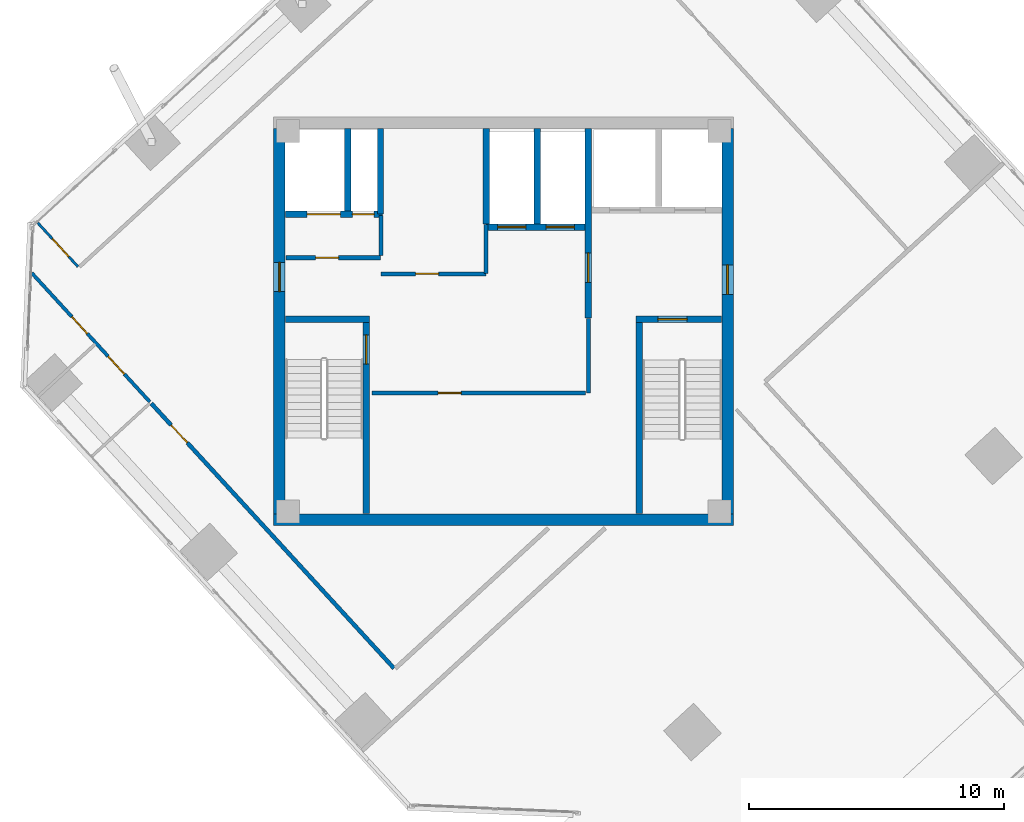
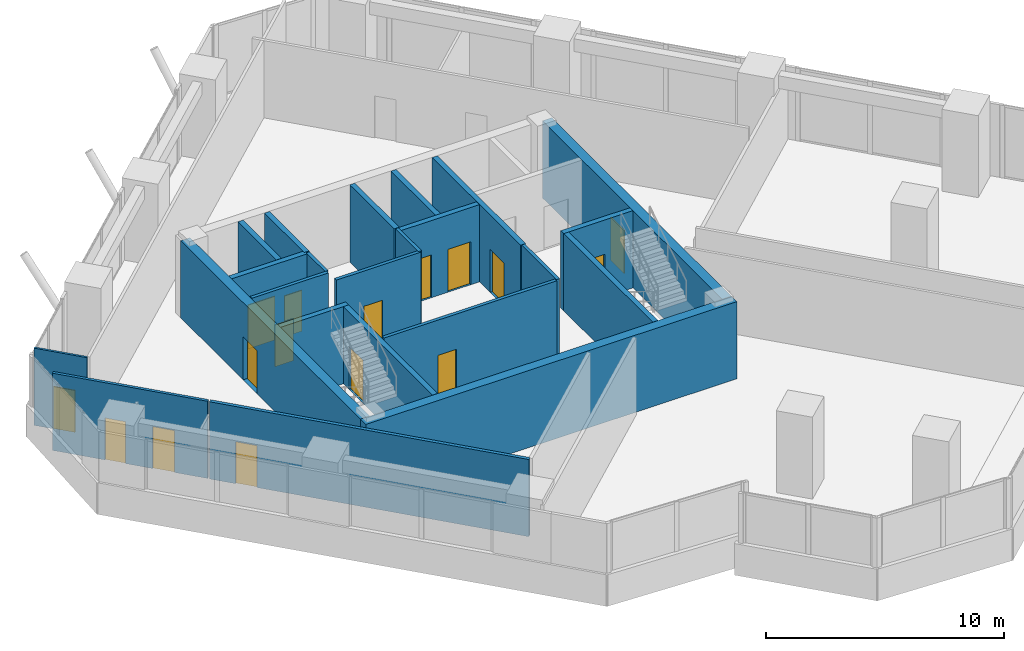
# One storey, part 12 of 16: 23 walls, 16 doors, 16 openings.
"""IFC4 building model written with IfcOpenShell, lengths in metres."""

from ifc_helpers import new_model, si_unit, direction, frame, frame_2d, origin, place, context, subcontext, project, spatial, rectangle, extrude, source, transform, mapped, material, layer, layer_set, type_object, element, fill, save


model = new_model("IFC4")

# Units and contexts
model_context = context("Model", 3, precision=1e-05, world=origin(), true_north=direction((0.0, 1.0)))
body_context = subcontext(model_context, "Body", "Model", "MODEL_VIEW")
ifc_project = project(units=[si_unit("LENGTHUNIT", "METRE"), si_unit("AREAUNIT", "SQUARE_METRE"), si_unit("VOLUMEUNIT", "CUBIC_METRE"), si_unit("PLANEANGLEUNIT", "RADIAN"), si_unit("MASSUNIT", "GRAM", prefix="KILO")], contexts=[model_context])

# Site, building, storey
site_placement = place(None, origin())
site = spatial("IfcSite", under=ifc_project, at=site_placement, CompositionType="ELEMENT")
building_placement = place(site_placement, origin())
building = spatial("IfcBuilding", under=site, at=building_placement, Name="Torre Montelarca", CompositionType="ELEMENT")
storey_placement = place(building_placement, frame((0.0, 0.0, 262.60009765625)))
storey = spatial("IfcBuildingStorey", under=building, at=storey_placement, Name="L59", CompositionType="ELEMENT", Elevation=262.60009765625)

# Wall, opening, door
ifc_material_1 = material(Name="Concrete C40/50", Category="concrete")
ifc_layer_1 = layer(ifc_material_1, 0.25, Name="Concrete C40/50", Category="concrete")
ifc_layer_set_1 = layer_set([ifc_layer_1], Name="Concrete C40/50")
wall_type_1 = type_object("IfcWallType", Name="CW-SHAFT-250", PredefinedType="SHEAR", material=ifc_layer_set_1)
wall_1_placement = place(storey_placement, frame((12.625, 24.4599609375, 0.0), z_axis=(0.0, 0.0, 1.0), x_axis=(0.0, 1.0, 0.0)))
wall_1 = element("IfcWall", 1, at=wall_1_placement, inside=storey, type_object=wall_type_1, Name="L59 Core Shear Wall SH-ST1-E", PredefinedType="SHEAR", context=body_context, shape_type="SweptSolid", body=[
    extrude(rectangle(XDim=7.489990234375, YDim=0.25, at=frame_2d((3.7451171875, 0.0))), origin(), (0.0, 0.0, 1.0), 3.9599609375),
])
opening_1_placement = place(wall_1_placement, frame((5.85009765625, 0.0, 0.0)))
opening_1 = element("IfcOpeningElement", 2, at=opening_1_placement, cuts=wall_1, Name="Opening FD-ST1", PredefinedType="OPENING", context=body_context, shape_type="SweptSolid", body=[
    extrude(rectangle(XDim=1.14990234375, YDim=2.199951171875, at=frame_2d((0.574951171875, 1.10009765625))), frame((0.0, 0.135009765625, 0.0), z_axis=(0.0, -1.0, 0.0), x_axis=(1.0, 0.0, 0.0)), (0.0, 0.0, 1.0), 0.27001953125),
])
ifc_material_2 = material(Name="Galvanized steel fire door", Category="steel")
door_type_1 = type_object("IfcDoorType", Name="DR-STAIR-115", OperationType="NOTDEFINED", PredefinedType="DOOR", material=ifc_material_2)
shared_shape_1 = source(origin(), body_context, "Body", "SweptSolid", [
    extrude(rectangle(XDim=1.14990234375, YDim=2.199951171875, at=frame_2d((0.574951171875, 1.10009765625))), frame((0.0, 0.02490234375, 0.0), z_axis=(0.0, -1.0, 0.0), x_axis=(1.0, 0.0, 0.0)), (0.0, 0.0, 1.0), 0.050048828125),
])
door_1_placement = place(opening_1_placement, origin())
door_1 = element("IfcDoor", 3, at=door_1_placement, inside=storey, type_object=door_type_1, Name="L59 Exit Stair ST1 Fire Door", OperationType="SINGLE_SWING_RIGHT", OverallHeight=2.199951171875, OverallWidth=1.14990234375, PredefinedType="DOOR", context=body_context, shape_type="MappedRepresentation", body=[
    mapped(shared_shape_1, transform((0.0, 0.0, 0.0), scale=1.0)),
])
fill(opening_1, door_1)

# Walls
wall_2_placement = place(storey_placement, frame((9.4599609375, 32.074951171875, 0.0), z_axis=(0.0, 0.0, 1.0), x_axis=(1.0, 0.0, 0.0)))
element("IfcWall", 4, at=wall_2_placement, inside=storey, type_object=wall_type_1, Name="L59 Core Shear Wall SH-ST1-N", PredefinedType="SHEAR", context=body_context, shape_type="SweptSolid", body=[
    extrude(rectangle(XDim=3.2900390625, YDim=0.25, at=frame_2d((1.64501953125, 0.0))), origin(), (0.0, 0.0, 1.0), 3.9599609375),
])
wall_3_placement = place(storey_placement, frame((23.31494140625, 24.4599609375, 0.0), z_axis=(0.0, 0.0, 1.0), x_axis=(0.0, 1.0, 0.0)))
element("IfcWall", 5, at=wall_3_placement, inside=storey, type_object=wall_type_1, Name="L59 Core Shear Wall SH-ST2-W", PredefinedType="SHEAR", context=body_context, shape_type="SweptSolid", body=[
    extrude(rectangle(XDim=7.489990234375, YDim=0.25, at=frame_2d((3.7451171875, 0.0))), origin(), (0.0, 0.0, 1.0), 3.9599609375),
])

# Wall, opening, door
wall_4_placement = place(storey_placement, frame((23.18994140625, 32.074951171875, 0.0), z_axis=(0.0, 0.0, 1.0), x_axis=(1.0, 0.0, 0.0)))
wall_4 = element("IfcWall", 6, at=wall_4_placement, inside=storey, type_object=wall_type_1, Name="L59 Core Shear Wall SH-ST2-N", PredefinedType="SHEAR", context=body_context, shape_type="SweptSolid", body=[
    extrude(rectangle(XDim=3.35009765625, YDim=0.25, at=frame_2d((1.675048828125, 0.0))), origin(), (0.0, 0.0, 1.0), 3.9599609375),
])
opening_2_placement = place(wall_4_placement, frame((0.85009765625, 0.0, 0.0)))
opening_2 = element("IfcOpeningElement", 7, at=opening_2_placement, cuts=wall_4, Name="Opening FD-ST1", PredefinedType="OPENING", context=body_context, shape_type="SweptSolid", body=[
    extrude(rectangle(XDim=1.14990234375, YDim=2.199951171875, at=frame_2d((0.574951171875, 1.10009765625))), frame((0.0, 0.135009765625, 0.0), z_axis=(0.0, -1.0, 0.0), x_axis=(1.0, 0.0, 0.0)), (0.0, 0.0, 1.0), 0.27001953125),
])
door_2_placement = place(opening_2_placement, origin())
door_2 = element("IfcDoor", 8, at=door_2_placement, inside=storey, type_object=door_type_1, Name="L59 Exit Stair ST2 Fire Door", OperationType="SINGLE_SWING_RIGHT", OverallHeight=2.199951171875, OverallWidth=1.14990234375, PredefinedType="DOOR", context=body_context, shape_type="MappedRepresentation", body=[
    mapped(shared_shape_1, transform((0.0, 0.0, 0.0), scale=1.0)),
])
fill(opening_2, door_2)

wall_5_placement = place(storey_placement, frame((21.320068359375, 32.1201171875, 0.0), z_axis=(0.0, 0.0, 1.0), x_axis=(0.0, 1.0, 0.0)))
wall_5 = element("IfcWall", 9, at=wall_5_placement, inside=storey, type_object=wall_type_1, Name="L59 Core Shear Wall SH-FFL-W", PredefinedType="SHEAR", context=body_context, shape_type="SweptSolid", body=[
    extrude(rectangle(XDim=7.419921875, YDim=0.25, at=frame_2d((3.7099609375, 0.0))), origin(), (0.0, 0.0, 1.0), 3.9599609375),
])
opening_3_placement = place(wall_5_placement, frame((1.39990234375, 0.0, 0.0)))
opening_3 = element("IfcOpeningElement", 10, at=opening_3_placement, cuts=wall_5, Name="Opening FD-LB1", PredefinedType="OPENING", context=body_context, shape_type="SweptSolid", body=[
    extrude(rectangle(XDim=1.14990234375, YDim=2.199951171875, at=frame_2d((0.574951171875, 1.10009765625))), frame((0.0, 0.135009765625, 0.0), z_axis=(0.0, -1.0, 0.0), x_axis=(1.0, 0.0, 0.0)), (0.0, 0.0, 1.0), 0.27001953125),
])
ifc_material_3 = material(Name="Acoustic timber-veneered fire door", Category="wood")
door_type_2 = type_object("IfcDoorType", Name="DR-LOBBY-115", OperationType="NOTDEFINED", PredefinedType="DOOR", material=ifc_material_3)
shared_shape_2 = source(origin(), body_context, "Body", "SweptSolid", [
    extrude(rectangle(XDim=1.14990234375, YDim=2.199951171875, at=frame_2d((0.574951171875, 1.10009765625))), frame((0.0, 0.02490234375, 0.0), z_axis=(0.0, -1.0, 0.0), x_axis=(1.0, 0.0, 0.0)), (0.0, 0.0, 1.0), 0.050048828125),
])
door_3_placement = place(opening_3_placement, origin())
door_3 = element("IfcDoor", 11, at=door_3_placement, inside=storey, type_object=door_type_2, Name="L59 Lift Lobby to Firefighting Lobby Smoke Door", OperationType="SINGLE_SWING_LEFT", OverallHeight=2.199951171875, OverallWidth=1.14990234375, PredefinedType="DOOR", context=body_context, shape_type="MappedRepresentation", body=[
    mapped(shared_shape_2, transform((0.0, 0.0, 0.0), scale=1.0)),
])
fill(opening_3, door_3)

# Wall, openings, doors
wall_6_placement = place(storey_placement, frame((9.4599609375, 36.179931640625, 0.0), z_axis=(0.0, 0.0, 1.0), x_axis=(1.0, 0.0, 0.0)))
wall_6 = element("IfcWall", 12, at=wall_6_placement, inside=storey, type_object=wall_type_1, Name="L59 Core Shear Wall SH-SV1-S", PredefinedType="SHEAR", context=body_context, shape_type="SweptSolid", body=[
    extrude(rectangle(XDim=3.7900390625, YDim=0.25, at=frame_2d((1.89501953125, 0.0))), origin(), (0.0, 0.0, 1.0), 3.9599609375),
])
opening_4_placement = place(wall_6_placement, frame((2.6201171875, 0.0, 0.0)))
opening_4 = element("IfcOpeningElement", 13, at=opening_4_placement, cuts=wall_6, Name="Opening FD-085", PredefinedType="OPENING", context=body_context, shape_type="SweptSolid", body=[
    extrude(rectangle(XDim=0.85009765625, YDim=2.10009765625, at=frame_2d((0.425048828125, 1.050048828125))), frame((0.0, 0.135009765625, 0.0), z_axis=(0.0, -1.0, 0.0), x_axis=(1.0, 0.0, 0.0)), (0.0, 0.0, 1.0), 0.27001953125),
])
opening_5_placement = place(wall_6_placement, frame((0.85009765625, 0.0, 0.0)))
opening_5 = element("IfcOpeningElement", 14, at=opening_5_placement, cuts=wall_6, Name="Opening LD-130", PredefinedType="OPENING", context=body_context, shape_type="SweptSolid", body=[
    extrude(rectangle(XDim=1.300048828125, YDim=2.25, at=frame_2d((0.64990234375, 1.125))), frame((0.0, 0.135009765625, 0.0), z_axis=(0.0, -1.0, 0.0), x_axis=(1.0, 0.0, 0.0)), (0.0, 0.0, 1.0), 0.27001953125),
])
ifc_material_4 = material(Name="Steel riser access fire door", Category="steel")
door_type_3 = type_object("IfcDoorType", Name="DR-RISER-085", OperationType="NOTDEFINED", PredefinedType="DOOR", material=ifc_material_4)
shared_shape_3 = source(origin(), body_context, "Body", "SweptSolid", [
    extrude(rectangle(XDim=0.85009765625, YDim=2.10009765625, at=frame_2d((0.425048828125, 1.050048828125))), frame((0.0, 0.02490234375, 0.0), z_axis=(0.0, -1.0, 0.0), x_axis=(1.0, 0.0, 0.0)), (0.0, 0.0, 1.0), 0.050048828125),
])
door_4_placement = place(opening_4_placement, origin())
door_4 = element("IfcDoor", 15, at=door_4_placement, inside=storey, type_object=door_type_3, Name="L59 Electrical Riser Shaft Access Door", OperationType="SINGLE_SWING_RIGHT", OverallHeight=2.10009765625, OverallWidth=0.85009765625, PredefinedType="DOOR", context=body_context, shape_type="MappedRepresentation", body=[
    mapped(shared_shape_3, transform((0.0, 0.0, 0.0), scale=1.0)),
])
fill(opening_4, door_4)
ifc_material_5 = material(Name="Brushed stainless steel AISI 316", Category="steel")
door_type_4 = type_object("IfcDoorType", Name="DR-LIFT-130", OperationType="SLIDING_TO_LEFT", PredefinedType="DOOR", material=ifc_material_5)
shared_shape_4 = source(origin(), body_context, "Body", "SweptSolid", [
    extrude(rectangle(XDim=1.300048828125, YDim=2.25, at=frame_2d((0.64990234375, 1.125))), frame((0.0, 0.02490234375, 0.0), z_axis=(0.0, -1.0, 0.0), x_axis=(1.0, 0.0, 0.0)), (0.0, 0.0, 1.0), 0.050048828125),
])
door_5_placement = place(opening_5_placement, origin())
door_5 = element("IfcDoor", 16, at=door_5_placement, inside=storey, type_object=door_type_4, Name="L59 Lift Landing Sliding Door SV-1", OperationType="SLIDING_TO_LEFT", OverallHeight=2.25, OverallWidth=1.300048828125, PredefinedType="DOOR", context=body_context, shape_type="MappedRepresentation", body=[
    mapped(shared_shape_4, transform((0.0, 0.0, 0.0), scale=1.0)),
])
fill(opening_5, door_5)

# Walls
wall_7_placement = place(storey_placement, frame((11.89990234375, 36.31005859375, 0.0), z_axis=(0.0, 0.0, 1.0), x_axis=(0.0, 1.0, 0.0)))
element("IfcWall", 17, at=wall_7_placement, inside=storey, type_object=wall_type_1, Name="L59 Core Shear Wall SH-SV1-E", PredefinedType="SHEAR", context=body_context, shape_type="SweptSolid", body=[
    extrude(rectangle(XDim=3.22998046875, YDim=0.25, at=frame_2d((1.614990234375, 0.0))), origin(), (0.0, 0.0, 1.0), 3.9599609375),
])
wall_8_placement = place(storey_placement, frame((13.179931640625, 36.199951171875, 0.0), z_axis=(0.0, 0.0, 1.0), x_axis=(0.0, 1.0, 0.0)))
element("IfcWall", 18, at=wall_8_placement, inside=storey, type_object=wall_type_1, Name="L59 Core Shear Wall SH-RSR1-E", PredefinedType="SHEAR", context=body_context, shape_type="SweptSolid", body=[
    extrude(rectangle(XDim=3.340087890625, YDim=0.25, at=frame_2d((1.669921875, 0.0))), origin(), (0.0, 0.0, 1.0), 3.9599609375),
])

# Wall, openings, doors
wall_9_placement = place(storey_placement, frame((17.320068359375, 35.679931640625, 0.0), z_axis=(0.0, 0.0, 1.0), x_axis=(1.0, 0.0, 0.0)))
wall_9 = element("IfcWall", 19, at=wall_9_placement, inside=storey, type_object=wall_type_1, Name="L59 Core Shear Wall SH-PLH-S", PredefinedType="SHEAR", context=body_context, shape_type="SweptSolid", body=[
    extrude(rectangle(XDim=3.869873046875, YDim=0.25, at=frame_2d((1.93505859375, 0.0))), origin(), (0.0, 0.0, 1.0), 3.9599609375),
])
opening_6_placement = place(wall_9_placement, frame((0.449951171875, 0.0, 0.0)))
opening_6 = element("IfcOpeningElement", 20, at=opening_6_placement, cuts=wall_9, Name="Opening LD-110", PredefinedType="OPENING", context=body_context, shape_type="SweptSolid", body=[
    extrude(rectangle(XDim=1.10009765625, YDim=2.199951171875, at=frame_2d((0.550048828125, 1.10009765625))), frame((0.0, 0.135009765625, 0.0), z_axis=(0.0, -1.0, 0.0), x_axis=(1.0, 0.0, 0.0)), (0.0, 0.0, 1.0), 0.27001953125),
])
opening_7_placement = place(wall_9_placement, frame((2.35009765625, 0.0, 0.0)))
opening_7 = element("IfcOpeningElement", 21, at=opening_7_placement, cuts=wall_9, Name="Opening LD-110", PredefinedType="OPENING", context=body_context, shape_type="SweptSolid", body=[
    extrude(rectangle(XDim=1.10009765625, YDim=2.199951171875, at=frame_2d((0.550048828125, 1.10009765625))), frame((0.0, 0.135009765625, 0.0), z_axis=(0.0, -1.0, 0.0), x_axis=(1.0, 0.0, 0.0)), (0.0, 0.0, 1.0), 0.27001953125),
])
door_type_5 = type_object("IfcDoorType", Name="DR-LIFT-110", OperationType="SLIDING_TO_LEFT", PredefinedType="DOOR", material=ifc_material_5)
shared_shape_5 = source(origin(), body_context, "Body", "SweptSolid", [
    extrude(rectangle(XDim=1.10009765625, YDim=2.199951171875, at=frame_2d((0.550048828125, 1.10009765625))), frame((0.0, 0.02490234375, 0.0), z_axis=(0.0, -1.0, 0.0), x_axis=(1.0, 0.0, 0.0)), (0.0, 0.0, 1.0), 0.050048828125),
])
door_6_placement = place(opening_6_placement, origin())
door_6 = element("IfcDoor", 22, at=door_6_placement, inside=storey, type_object=door_type_5, Name="L59 Lift Landing Sliding Door PL-H1", OperationType="SLIDING_TO_LEFT", OverallHeight=2.199951171875, OverallWidth=1.10009765625, PredefinedType="DOOR", context=body_context, shape_type="MappedRepresentation", body=[
    mapped(shared_shape_5, transform((0.0, 0.0, 0.0), scale=1.0)),
])
fill(opening_6, door_6)
door_7_placement = place(opening_7_placement, origin())
door_7 = element("IfcDoor", 23, at=door_7_placement, inside=storey, type_object=door_type_5, Name="L59 Lift Landing Sliding Door PL-H2", OperationType="SLIDING_TO_RIGHT", OverallHeight=2.199951171875, OverallWidth=1.10009765625, PredefinedType="DOOR", context=body_context, shape_type="MappedRepresentation", body=[
    mapped(shared_shape_5, transform((0.0, 0.0, 0.0), scale=1.0)),
])
fill(opening_7, door_7)

# Walls
for number, where, z_axis, x_axis, name in (
    (24, (17.320068359375, 35.81005859375, 0.0), (0.0, 0.0, 1.0), (0.0, 1.0, 0.0), "L59 Core Shear Wall SH-PLH-W"),
    (25, (19.320068359375, 35.81005859375, 0.0), (0.0, 0.0, 1.0), (0.0, 1.0, 0.0), "L59 Core Shear Wall SH-PLH-M"),
):
    element("IfcWall", number, at=place(storey_placement, frame(where, z_axis=z_axis, x_axis=x_axis)), inside=storey, type_object=wall_type_1, Name=name, PredefinedType="SHEAR", context=body_context, shape_type="SweptSolid", body=[
        extrude(rectangle(XDim=3.72998046875, YDim=0.25, at=frame_2d((1.864990234375, 0.0))), origin(), (0.0, 0.0, 1.0), 3.9599609375),
    ])

# Wall, opening, door
ifc_material_6 = material(Name="Concrete C55/67", Category="concrete")
ifc_layer_2 = layer(ifc_material_6, 0.449951171875, Name="Concrete C55/67", Category="concrete")
ifc_layer_set_2 = layer_set([ifc_layer_2], Name="Concrete C55/67")
wall_type_2 = type_object("IfcWallType", Name="CW-SHEAR-450", PredefinedType="SHEAR", material=ifc_layer_set_2)
wall_10_placement = place(storey_placement, frame((9.22509765625, 24.449951171875, 0.0), z_axis=(0.0, 0.0, 1.0), x_axis=(0.0, 1.0, 0.0)))
wall_10 = element("IfcWall", 26, at=wall_10_placement, inside=storey, type_object=wall_type_2, Name="L59 Core Shear Wall CW-W", PredefinedType="SHEAR", context=body_context, shape_type="SweptSolid", body=[
    extrude(rectangle(XDim=15.10009765625, YDim=0.449951171875, at=frame_2d((7.550048828125, 0.0))), origin(), (0.0, 0.0, 1.0), 3.9599609375),
])
opening_8_placement = place(wall_10_placement, frame((8.699951171875, 0.0, 0.0)))
opening_8 = element("IfcOpeningElement", 27, at=opening_8_placement, cuts=wall_10, Name="Opening FD-LB1", PredefinedType="OPENING", context=body_context, shape_type="SweptSolid", body=[
    extrude(rectangle(XDim=1.14990234375, YDim=2.199951171875, at=frame_2d((0.574951171875, 1.10009765625))), frame((0.0, 0.23486328125, 0.0), z_axis=(0.0, -1.0, 0.0), x_axis=(1.0, 0.0, 0.0)), (0.0, 0.0, 1.0), 0.469970703125),
])
door_8_placement = place(opening_8_placement, origin())
door_8 = element("IfcDoor", 28, at=door_8_placement, inside=storey, type_object=door_type_2, Name="L59 Passenger Lift Lobby West Corridor Fire Door", OperationType="SINGLE_SWING_RIGHT", OverallHeight=2.199951171875, OverallWidth=1.14990234375, PredefinedType="DOOR", context=body_context, shape_type="MappedRepresentation", body=[
    mapped(shared_shape_2, transform((0.0, 0.0, 0.0), scale=1.0)),
])
fill(opening_8, door_8)

wall_11_placement = place(storey_placement, frame((26.77490234375, 24.449951171875, 0.0), z_axis=(0.0, 0.0, 1.0), x_axis=(0.0, 1.0, 0.0)))
wall_11 = element("IfcWall", 29, at=wall_11_placement, inside=storey, type_object=wall_type_2, Name="L59 Core Shear Wall CW-E", PredefinedType="SHEAR", context=body_context, shape_type="SweptSolid", body=[
    extrude(rectangle(XDim=15.10009765625, YDim=0.449951171875, at=frame_2d((7.550048828125, 0.0))), origin(), (0.0, 0.0, 1.0), 3.9599609375),
])
opening_9_placement = place(wall_11_placement, frame((8.60009765625, 0.0, 0.0)))
opening_9 = element("IfcOpeningElement", 30, at=opening_9_placement, cuts=wall_11, Name="Opening FD-LB1", PredefinedType="OPENING", context=body_context, shape_type="SweptSolid", body=[
    extrude(rectangle(XDim=1.14990234375, YDim=2.199951171875, at=frame_2d((0.574951171875, 1.10009765625))), frame((0.0, 0.23486328125, 0.0), z_axis=(0.0, -1.0, 0.0), x_axis=(1.0, 0.0, 0.0)), (0.0, 0.0, 1.0), 0.469970703125),
])
door_9_placement = place(opening_9_placement, origin())
door_9 = element("IfcDoor", 31, at=door_9_placement, inside=storey, type_object=door_type_2, Name="L59 Firefighting Lift Lobby Corridor Fire Door", OperationType="SINGLE_SWING_RIGHT", OverallHeight=2.199951171875, OverallWidth=1.14990234375, PredefinedType="DOOR", context=body_context, shape_type="MappedRepresentation", body=[
    mapped(shared_shape_2, transform((0.0, 0.0, 0.0), scale=1.0)),
])
fill(opening_9, door_9)

# Wall
wall_12_placement = place(storey_placement, frame((9.0, 24.22509765625, 0.0), z_axis=(0.0, 0.0, 1.0), x_axis=(1.0, 0.0, 0.0)))
element("IfcWall", 32, at=wall_12_placement, inside=storey, type_object=wall_type_2, Name="L59 Core Shear Wall CW-S1", PredefinedType="SHEAR", context=body_context, shape_type="SweptSolid", body=[
    extrude(rectangle(XDim=18.0, YDim=0.449951171875, at=frame_2d((9.0, 0.0))), origin(), (0.0, 0.0, 1.0), 3.9599609375),
])

# Wall, opening, door
ifc_material_7 = material(Name="Gypsum plasterboard on steel stud", Category="steel")
ifc_layer_3 = layer(ifc_material_7, 0.159912109375, Name="Gypsum plasterboard on steel stud", Category="steel")
ifc_layer_set_3 = layer_set([ifc_layer_3], Name="Gypsum plasterboard on steel stud")
wall_type_3 = type_object("IfcWallType", Name="PW-FIRE-160", PredefinedType="PARTITIONING", material=ifc_layer_set_3)
wall_13_placement = place(storey_placement, frame((9.489990234375, 34.47998046875, 0.0), z_axis=(0.0, 0.0, 1.0), x_axis=(1.0, 0.0, 0.0)))
wall_13 = element("IfcWall", 33, at=wall_13_placement, inside=storey, type_object=wall_type_3, Name="L59 Interior Partition CW-L59-SVS", PredefinedType="PARTITIONING", context=body_context, shape_type="SweptSolid", body=[
    extrude(rectangle(XDim=3.699951171875, YDim=0.159912109375, at=frame_2d((1.85009765625, 0.0))), origin(), (0.0, 0.0, 1.0), 3.9599609375),
])
opening_10_placement = place(wall_13_placement, frame((1.14990234375, 0.0, 0.0)))
opening_10 = element("IfcOpeningElement", 34, at=opening_10_placement, cuts=wall_13, Name="Opening FD-090", PredefinedType="OPENING", context=body_context, shape_type="SweptSolid", body=[
    extrude(rectangle(XDim=0.89990234375, YDim=2.14990234375, at=frame_2d((0.449951171875, 1.074951171875))), frame((0.0, 0.08984375, 0.0), z_axis=(0.0, -1.0, 0.0), x_axis=(1.0, 0.0, 0.0)), (0.0, 0.0, 1.0), 0.179931640625),
])
ifc_material_8 = material(Name="Steel service fire door", Category="steel")
door_type_6 = type_object("IfcDoorType", Name="DR-FIRE-090", OperationType="NOTDEFINED", PredefinedType="DOOR", material=ifc_material_8)
shared_shape_6 = source(origin(), body_context, "Body", "SweptSolid", [
    extrude(rectangle(XDim=0.89990234375, YDim=2.14990234375, at=frame_2d((0.449951171875, 1.074951171875))), frame((0.0, 0.02490234375, 0.0), z_axis=(0.0, -1.0, 0.0), x_axis=(1.0, 0.0, 0.0)), (0.0, 0.0, 1.0), 0.050048828125),
])
door_10_placement = place(opening_10_placement, origin())
door_10 = element("IfcDoor", 35, at=door_10_placement, inside=storey, type_object=door_type_6, Name="L59 Interior Door 01", OperationType="SINGLE_SWING_RIGHT", OverallHeight=2.14990234375, OverallWidth=0.89990234375, PredefinedType="DOOR", context=body_context, shape_type="MappedRepresentation", body=[
    mapped(shared_shape_6, transform((0.0, 0.0, 0.0), scale=1.0)),
])
fill(opening_10, door_10)

# Wall
wall_14_placement = place(storey_placement, frame((13.199951171875, 34.570068359375, 0.0), z_axis=(0.0, 0.0, 1.0), x_axis=(0.0, 1.0, 0.0)))
element("IfcWall", 36, at=wall_14_placement, inside=storey, type_object=wall_type_3, Name="L59 Interior Partition CW-L59-SVE", PredefinedType="PARTITIONING", context=body_context, shape_type="SweptSolid", body=[
    extrude(rectangle(XDim=1.56982421875, YDim=0.159912109375, at=frame_2d((0.784912109375, 0.0))), origin(), (0.0, 0.0, 1.0), 3.9599609375),
])

# Wall, opening, door
wall_15_placement = place(storey_placement, frame((13.2099609375, 33.85009765625, 0.0), z_axis=(0.0, 0.0, 1.0), x_axis=(1.0, 0.0, 0.0)))
wall_15 = element("IfcWall", 37, at=wall_15_placement, inside=storey, type_object=wall_type_3, Name="L59 Interior Partition CW-L59-FRMS", PredefinedType="PARTITIONING", context=body_context, shape_type="SweptSolid", body=[
    extrude(rectangle(XDim=4.10009765625, YDim=0.159912109375, at=frame_2d((2.050048828125, 0.0))), origin(), (0.0, 0.0, 1.0), 3.9599609375),
])
opening_11_placement = place(wall_15_placement, frame((1.35009765625, 0.0, 0.0)))
opening_11 = element("IfcOpeningElement", 38, at=opening_11_placement, cuts=wall_15, Name="Opening FD-090", PredefinedType="OPENING", context=body_context, shape_type="SweptSolid", body=[
    extrude(rectangle(XDim=0.89990234375, YDim=2.14990234375, at=frame_2d((0.449951171875, 1.074951171875))), frame((0.0, 0.08984375, 0.0), z_axis=(0.0, -1.0, 0.0), x_axis=(1.0, 0.0, 0.0)), (0.0, 0.0, 1.0), 0.179931640625),
])
door_11_placement = place(opening_11_placement, origin())
door_11 = element("IfcDoor", 39, at=door_11_placement, inside=storey, type_object=door_type_6, Name="L59 Interior Door 02", OperationType="SINGLE_SWING_LEFT", OverallHeight=2.14990234375, OverallWidth=0.89990234375, PredefinedType="DOOR", context=body_context, shape_type="MappedRepresentation", body=[
    mapped(shared_shape_6, transform((0.0, 0.0, 0.0), scale=1.0)),
])
fill(opening_11, door_11)

# Wall
wall_16_placement = place(storey_placement, frame((17.320068359375, 33.860107421875, 0.0), z_axis=(0.0, 0.0, 1.0), x_axis=(0.0, 1.0, 0.0)))
element("IfcWall", 40, at=wall_16_placement, inside=storey, type_object=wall_type_3, Name="L59 Interior Partition CW-L59-FRME", PredefinedType="PARTITIONING", context=body_context, shape_type="SweptSolid", body=[
    extrude(rectangle(XDim=1.929931640625, YDim=0.159912109375, at=frame_2d((0.96484375, 0.0))), origin(), (0.0, 0.0, 1.0), 3.9599609375),
])

# Wall, opening, door
wall_17_placement = place(storey_placement, frame((12.840087890625, 29.179931640625, 0.0), z_axis=(0.0, 0.0, 1.0), x_axis=(1.0, 0.0, 0.0)))
wall_17 = element("IfcWall", 41, at=wall_17_placement, inside=storey, type_object=wall_type_3, Name="L59 Interior Partition CW-L59-FRDN", PredefinedType="PARTITIONING", context=body_context, shape_type="SweptSolid", body=[
    extrude(rectangle(XDim=8.369873046875, YDim=0.159912109375, at=frame_2d((4.18505859375, 0.0))), origin(), (0.0, 0.0, 1.0), 3.9599609375),
])
opening_12_placement = place(wall_17_placement, frame((2.60009765625, 0.0, 0.0)))
opening_12 = element("IfcOpeningElement", 42, at=opening_12_placement, cuts=wall_17, Name="Opening FD-090", PredefinedType="OPENING", context=body_context, shape_type="SweptSolid", body=[
    extrude(rectangle(XDim=0.89990234375, YDim=2.14990234375, at=frame_2d((0.449951171875, 1.074951171875))), frame((0.0, 0.08984375, 0.0), z_axis=(0.0, -1.0, 0.0), x_axis=(1.0, 0.0, 0.0)), (0.0, 0.0, 1.0), 0.179931640625),
])
door_12_placement = place(opening_12_placement, origin())
door_12 = element("IfcDoor", 43, at=door_12_placement, inside=storey, type_object=door_type_6, Name="L59 Interior Door 03", OperationType="SINGLE_SWING_LEFT", OverallHeight=2.14990234375, OverallWidth=0.89990234375, PredefinedType="DOOR", context=body_context, shape_type="MappedRepresentation", body=[
    mapped(shared_shape_6, transform((0.0, 0.0, 0.0), scale=1.0)),
])
fill(opening_12, door_12)

# Wall
wall_18_placement = place(storey_placement, frame((21.320068359375, 29.18994140625, 0.0), z_axis=(0.0, 0.0, 1.0), x_axis=(0.0, 1.0, 0.0)))
element("IfcWall", 44, at=wall_18_placement, inside=storey, type_object=wall_type_3, Name="L59 Interior Partition CW-L59-FRE", PredefinedType="PARTITIONING", context=body_context, shape_type="SweptSolid", body=[
    extrude(rectangle(XDim=2.920166015625, YDim=0.159912109375, at=frame_2d((1.4599609375, 0.0))), origin(), (0.0, 0.0, 1.0), 3.9599609375),
])

# Wall, opening, door
wall_19_placement = place(storey_placement, frame((4.20263671875, 28.777587890625, 0.0), z_axis=(0.0, 0.0, 1.0), x_axis=(0.675591041558, -0.737276572642, 0.0)))
wall_19 = element("IfcWall", 45, at=wall_19_placement, inside=storey, type_object=wall_type_3, Name="L59 Interior Partition W-L59-SOCCN", PredefinedType="PARTITIONING", context=body_context, shape_type="SweptSolid", body=[
    extrude(rectangle(XDim=14.070068359375, YDim=0.159912109375, at=frame_2d((7.03515625, 0.0))), origin(), (0.0, 0.0, 1.0), 3.9599609375),
])
opening_13_placement = place(wall_19_placement, frame((1.14990234375, 0.0, 0.0)))
opening_13 = element("IfcOpeningElement", 46, at=opening_13_placement, cuts=wall_19, Name="Opening FD-095", PredefinedType="OPENING", context=body_context, shape_type="SweptSolid", body=[
    extrude(rectangle(XDim=0.949951171875, YDim=2.14990234375, at=frame_2d((0.47509765625, 1.074951171875))), frame((0.0, 0.08984375, 0.0), z_axis=(0.0, -1.0, 0.0), x_axis=(1.0, 0.0, 0.0)), (0.0, 0.0, 1.0), 0.179931640625),
])
ifc_material_9 = material(Name="Timber fire-rated room door", Category="wood")
door_type_7 = type_object("IfcDoorType", Name="DR-FIRE-095", OperationType="NOTDEFINED", PredefinedType="DOOR", material=ifc_material_9)
shared_shape_7 = source(origin(), body_context, "Body", "SweptSolid", [
    extrude(rectangle(XDim=0.949951171875, YDim=2.14990234375, at=frame_2d((0.47509765625, 1.074951171875))), frame((0.0, 0.02490234375, 0.0), z_axis=(0.0, -1.0, 0.0), x_axis=(1.0, 0.0, 0.0)), (0.0, 0.0, 1.0), 0.050048828125),
])
door_13_placement = place(opening_13_placement, origin())
door_13 = element("IfcDoor", 47, at=door_13_placement, inside=storey, type_object=door_type_7, Name="L59 Interior Door 06", OperationType="SINGLE_SWING_RIGHT", OverallHeight=2.14990234375, OverallWidth=0.949951171875, PredefinedType="DOOR", context=body_context, shape_type="MappedRepresentation", body=[
    mapped(shared_shape_7, transform((0.0, 0.0, 0.0), scale=1.0)),
])
fill(opening_13, door_13)

ifc_material_10 = material(Name="Acoustic laminated glass partition", Category="glass")
ifc_layer_4 = layer(ifc_material_10, 0.10009765625, Name="Acoustic laminated glass partition", Category="glass")
ifc_layer_set_4 = layer_set([ifc_layer_4], Name="Acoustic laminated glass partition")
wall_type_4 = type_object("IfcWallType", Name="PW-GLAZ-100", PredefinedType="PARTITIONING", material=ifc_layer_set_4)
wall_20_placement = place(storey_placement, frame((-0.238037109375, 35.843994140625, 0.0), z_axis=(0.0, 0.0, 1.0), x_axis=(0.67562972666, -0.737241122329, 0.0)))
wall_20 = element("IfcWall", 48, at=wall_20_placement, inside=storey, type_object=wall_type_4, Name="L59 Interior Partition W-L59-WPKS", PredefinedType="PARTITIONING", context=body_context, shape_type="SweptSolid", body=[
    extrude(rectangle(XDim=2.330078125, YDim=0.10009765625, at=frame_2d((1.1650390625, 0.0))), origin(), (0.0, 0.0, 1.0), 3.9599609375),
])
opening_14_placement = place(wall_20_placement, frame((0.85009765625, 0.0, 0.0)))
opening_14 = element("IfcOpeningElement", 49, at=opening_14_placement, cuts=wall_20, Name="Opening ID-095", PredefinedType="OPENING", context=body_context, shape_type="SweptSolid", body=[
    extrude(rectangle(XDim=0.949951171875, YDim=2.14990234375, at=frame_2d((0.47509765625, 1.074951171875))), frame((0.0, 0.06005859375, 0.0), z_axis=(0.0, -1.0, 0.0), x_axis=(1.0, 0.0, 0.0)), (0.0, 0.0, 1.0), 0.1201171875),
])
ifc_material_11 = material(Name="Hardwood acoustic timber veneer", Category="wood")
door_type_8 = type_object("IfcDoorType", Name="DR-INT-095", OperationType="NOTDEFINED", PredefinedType="DOOR", material=ifc_material_11)
shared_shape_8 = source(origin(), body_context, "Body", "SweptSolid", [
    extrude(rectangle(XDim=0.949951171875, YDim=2.14990234375, at=frame_2d((0.47509765625, 1.074951171875))), frame((0.0, 0.02490234375, 0.0), z_axis=(0.0, -1.0, 0.0), x_axis=(1.0, 0.0, 0.0)), (0.0, 0.0, 1.0), 0.050048828125),
])
door_14_placement = place(opening_14_placement, origin())
door_14 = element("IfcDoor", 50, at=door_14_placement, inside=storey, type_object=door_type_8, Name="L59 Interior Door 09", OperationType="SINGLE_SWING_LEFT", OverallHeight=2.14990234375, OverallWidth=0.949951171875, PredefinedType="DOOR", context=body_context, shape_type="MappedRepresentation", body=[
    mapped(shared_shape_8, transform((0.0, 0.0, 0.0), scale=1.0)),
])
fill(opening_14, door_14)

# Wall, openings, doors
ifc_layer_5 = layer(ifc_material_7, 0.135009765625, Name="Gypsum plasterboard on steel stud", Category="steel")
ifc_layer_set_5 = layer_set([ifc_layer_5], Name="Gypsum plasterboard on steel stud")
wall_type_5 = type_object("IfcWallType", Name="PW-PART-135", PredefinedType="PARTITIONING", material=ifc_layer_set_5)
wall_21_placement = place(storey_placement, frame((-0.473876953125, 33.880859375, 0.0), z_axis=(0.0, 0.0, 1.0), x_axis=(0.675605050901, -0.73726373517, 0.0)))
wall_21 = element("IfcWall", 51, at=wall_21_placement, inside=storey, type_object=wall_type_5, Name="L59 Interior Partition W-L59-WCN", PredefinedType="PARTITIONING", context=body_context, shape_type="SweptSolid", body=[
    extrude(rectangle(XDim=6.842041015625, YDim=0.135009765625, at=frame_2d((3.4208984375, 0.0))), origin(), (0.0, 0.0, 1.0), 3.9599609375),
])
opening_15_placement = place(wall_21_placement, frame((2.320068359375, 0.0, 0.0)))
opening_15 = element("IfcOpeningElement", 52, at=opening_15_placement, cuts=wall_21, Name="Opening ID-090", PredefinedType="OPENING", context=body_context, shape_type="SweptSolid", body=[
    extrude(rectangle(XDim=0.89990234375, YDim=2.14990234375, at=frame_2d((0.449951171875, 1.074951171875))), frame((0.0, 0.07763671875, 0.0), z_axis=(0.0, -1.0, 0.0), x_axis=(1.0, 0.0, 0.0)), (0.0, 0.0, 1.0), 0.155029296875),
])
opening_16_placement = place(wall_21_placement, frame((4.419921875, 0.0, 0.0)))
opening_16 = element("IfcOpeningElement", 53, at=opening_16_placement, cuts=wall_21, Name="Opening ID-095", PredefinedType="OPENING", context=body_context, shape_type="SweptSolid", body=[
    extrude(rectangle(XDim=0.949951171875, YDim=2.14990234375, at=frame_2d((0.47509765625, 1.074951171875))), frame((0.0, 0.07763671875, 0.0), z_axis=(0.0, -1.0, 0.0), x_axis=(1.0, 0.0, 0.0)), (0.0, 0.0, 1.0), 0.155029296875),
])
door_type_9 = type_object("IfcDoorType", Name="DR-INT-090", OperationType="NOTDEFINED", PredefinedType="DOOR", material=ifc_material_11)
shared_shape_9 = source(origin(), body_context, "Body", "SweptSolid", [
    extrude(rectangle(XDim=0.89990234375, YDim=2.14990234375, at=frame_2d((0.449951171875, 1.074951171875))), frame((0.0, 0.02490234375, 0.0), z_axis=(0.0, -1.0, 0.0), x_axis=(1.0, 0.0, 0.0)), (0.0, 0.0, 1.0), 0.050048828125),
])
door_15_placement = place(opening_15_placement, origin())
door_15 = element("IfcDoor", 54, at=door_15_placement, inside=storey, type_object=door_type_9, Name="L59 Interior Door 04", OperationType="SINGLE_SWING_LEFT", OverallHeight=2.14990234375, OverallWidth=0.89990234375, PredefinedType="DOOR", context=body_context, shape_type="MappedRepresentation", body=[
    mapped(shared_shape_9, transform((0.0, 0.0, 0.0), scale=1.0)),
])
fill(opening_15, door_15)
door_16_placement = place(opening_16_placement, origin())
door_16 = element("IfcDoor", 55, at=door_16_placement, inside=storey, type_object=door_type_8, Name="L59 Interior Door 05", OperationType="SINGLE_SWING_RIGHT", OverallHeight=2.14990234375, OverallWidth=0.949951171875, PredefinedType="DOOR", context=body_context, shape_type="MappedRepresentation", body=[
    mapped(shared_shape_8, transform((0.0, 0.0, 0.0), scale=1.0)),
])
fill(opening_16, door_16)

save(model, "model.ifc")
